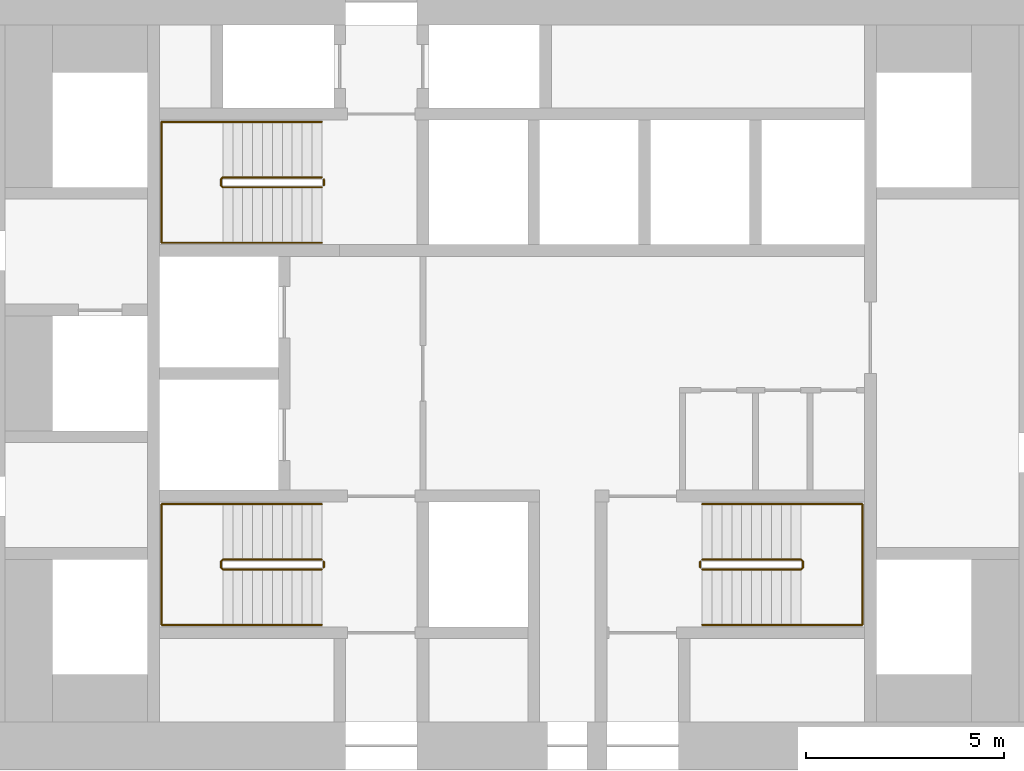
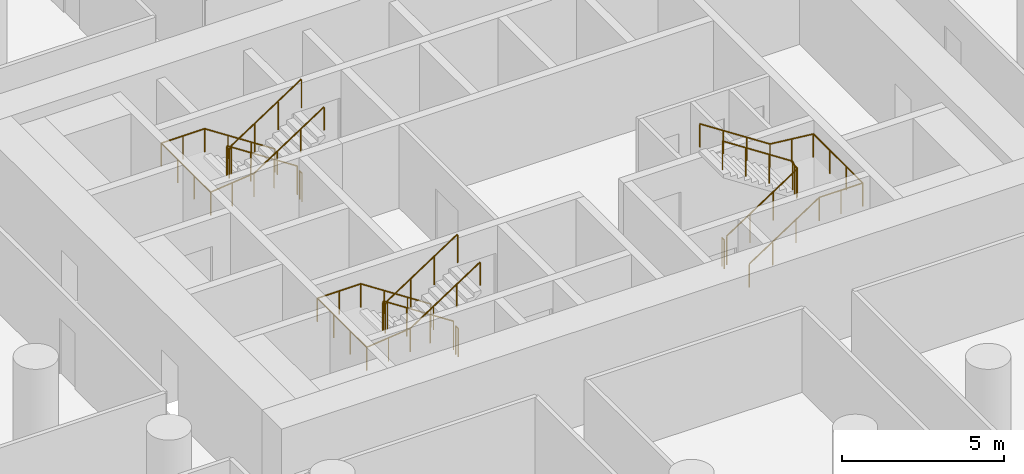
# One storey, part 12 of 12: 9 railings.
"""IFC4 building model written with IfcOpenShell, lengths in metres."""

from ifc_helpers import new_model, si_unit, direction, frame, origin, origin_2d, place, context, subcontext, project, spatial, circle, extrude, material, type_object, element, save


model = new_model("IFC4")

# Units and contexts
model_context = context("Model", 3, precision=1e-05, world=origin(), true_north=direction((0.0, 1.0)))
body_context = subcontext(model_context, "Body", "Model", "MODEL_VIEW")
ifc_project = project(units=[si_unit("LENGTHUNIT", "METRE"), si_unit("AREAUNIT", "SQUARE_METRE"), si_unit("VOLUMEUNIT", "CUBIC_METRE"), si_unit("PLANEANGLEUNIT", "RADIAN"), si_unit("MASSUNIT", "GRAM", prefix="KILO")], contexts=[model_context])

# Site, building, storey
site_placement = place(None, origin())
site = spatial("IfcSite", under=ifc_project, at=site_placement, CompositionType="ELEMENT")
building_placement = place(site_placement, origin())
building = spatial("IfcBuilding", under=site, at=building_placement, Name="Tracery Tower", CompositionType="ELEMENT")
storey_placement = place(building_placement, frame((0.0, 0.0, 82.199951171875)))
storey = spatial("IfcBuildingStorey", under=building, at=storey_placement, Name="L20", CompositionType="ELEMENT", Elevation=82.199951171875)

# Railings
ifc_material_1 = material(Name="Stainless steel and laminated glass", Category="steel")
railing_type_1 = type_object("IfcRailingType", Name="Stair guard 1100", PredefinedType="GUARDRAIL", material=ifc_material_1)
railing_1_placement = place(storey_placement, frame((-4.800048828125, -4.699951171875, 0.16357421875)))
element("IfcRailing", 1, at=railing_1_placement, inside=storey, type_object=railing_type_1, Name="L20 stair ST1 guard 1", PredefinedType="GUARDRAIL", context=body_context, shape_type="SweptSolid", body=[
    extrude(circle(Radius=0.02392578125, at=origin_2d()), frame((0.0, 0.0, 1.076171875), z_axis=(-0.83668449804, 0.0, 0.54768517484), x_axis=(0.0, -1.0, 0.0)), (0.0, 0.0, 1.0), 2.988037109375),
    extrude(circle(Radius=0.02392578125, at=origin_2d()), frame((-2.5, 0.0, 2.71240234375), z_axis=(-0.707106781187, -0.707106781187, 0.0), x_axis=(0.707106781187, -0.707106781187, 0.0)), (0.0, 0.0, 1.0), 0.07080078125),
    extrude(circle(Radius=0.02392578125, at=origin_2d()), frame((-2.550048828125, -0.050048828125, 2.71240234375), z_axis=(0.0, -1.0, 0.0), x_axis=(1.0, 0.0, 0.0)), (0.0, 0.0, 1.0), 0.14990234375),
    extrude(circle(Radius=0.02392578125, at=origin_2d()), frame((-2.550048828125, -0.199951171875, 2.71240234375), z_axis=(0.280808744504, -0.280808744504, 0.917765164963), x_axis=(0.707106781187, 0.707106781187, 0.0)), (0.0, 0.0, 1.0), 0.17822265625),
    extrude(circle(Radius=0.02392578125, at=origin_2d()), frame((-2.5, -0.25, 2.8759765625), z_axis=(0.83668449804, 0.0, 0.54768517484), x_axis=(0.0, 1.0, 0.0)), (0.0, 0.0, 1.0), 2.988037109375),
    extrude(circle(Radius=0.02099609375, at=origin_2d()), origin(), (0.0, 0.0, 1.0), 1.052001953125),
    extrude(circle(Radius=0.02099609375, at=origin_2d()), frame((-0.833251953125, 0.0, 0.54541015625)), (0.0, 0.0, 1.0), 1.052001953125),
    extrude(circle(Radius=0.02099609375, at=origin_2d()), frame((-1.666748046875, 0.0, 1.091064453125)), (0.0, 0.0, 1.0), 1.052001953125),
    extrude(circle(Radius=0.02099609375, at=origin_2d()), frame((-2.5, 0.0, 1.636474609375)), (0.0, 0.0, 1.0), 1.052001953125),
    extrude(circle(Radius=0.02099609375, at=origin_2d()), frame((-2.550048828125, -0.050048828125, 1.636474609375)), (0.0, 0.0, 1.0), 1.052001953125),
    extrude(circle(Radius=0.02099609375, at=origin_2d()), frame((-2.550048828125, -0.199951171875, 1.636474609375)), (0.0, 0.0, 1.0), 1.052001953125),
    extrude(circle(Radius=0.02099609375, at=origin_2d()), frame((-2.5, -0.25, 1.800048828125)), (0.0, 0.0, 1.0), 1.052001953125),
    extrude(circle(Radius=0.02099609375, at=origin_2d()), frame((-1.666748046875, -0.25, 2.345458984375)), (0.0, 0.0, 1.0), 1.052001953125),
    extrude(circle(Radius=0.02099609375, at=origin_2d()), frame((-0.833251953125, -0.25, 2.89111328125)), (0.0, 0.0, 1.0), 1.052001953125),
    extrude(circle(Radius=0.02099609375, at=origin_2d()), frame((0.0, -0.25, 3.4365234375)), (0.0, 0.0, 1.0), 1.052001953125),
])
railing_2_placement = place(storey_placement, frame((-4.75, -4.75, 0.0)))
element("IfcRailing", 2, at=railing_2_placement, inside=storey, type_object=railing_type_1, Name="L20 stair ST1 guard 2", PredefinedType="GUARDRAIL", context=body_context, shape_type="SweptSolid", body=[
    extrude(circle(Radius=0.02392578125, at=origin_2d()), frame((0.0, 0.0, 1.076171875), z_axis=(0.0, -1.0, 0.0), x_axis=(1.0, 0.0, 0.0)), (0.0, 0.0, 1.0), 0.14990234375),
    extrude(circle(Radius=0.02099609375, at=origin_2d()), origin(), (0.0, 0.0, 1.0), 1.052001953125),
    extrude(circle(Radius=0.02099609375, at=origin_2d()), frame((0.0, -0.14990234375, 0.0)), (0.0, 0.0, 1.0), 1.052001953125),
])
railing_3_placement = place(storey_placement, frame((-4.800048828125, 4.949951171875, 0.16357421875)))
element("IfcRailing", 3, at=railing_3_placement, inside=storey, type_object=railing_type_1, Name="L20 stair ST3 guard 1", PredefinedType="GUARDRAIL", context=body_context, shape_type="SweptSolid", body=[
    extrude(circle(Radius=0.02392578125, at=origin_2d()), frame((0.0, 0.0, 1.076171875), z_axis=(-0.83668449804, 0.0, 0.54768517484), x_axis=(0.0, -1.0, 0.0)), (0.0, 0.0, 1.0), 2.988037109375),
    extrude(circle(Radius=0.02392578125, at=origin_2d()), frame((-2.5, 0.0, 2.71240234375), z_axis=(-0.707106781187, -0.707106781187, 0.0), x_axis=(0.707106781187, -0.707106781187, 0.0)), (0.0, 0.0, 1.0), 0.07080078125),
    extrude(circle(Radius=0.02392578125, at=origin_2d()), frame((-2.550048828125, -0.050048828125, 2.71240234375), z_axis=(0.0, -1.0, 0.0), x_axis=(1.0, 0.0, 0.0)), (0.0, 0.0, 1.0), 0.14990234375),
    extrude(circle(Radius=0.02392578125, at=origin_2d()), frame((-2.550048828125, -0.199951171875, 2.71240234375), z_axis=(0.280808744504, -0.280808744504, 0.917765164963), x_axis=(0.707106781187, 0.707106781187, 0.0)), (0.0, 0.0, 1.0), 0.17822265625),
    extrude(circle(Radius=0.02392578125, at=origin_2d()), frame((-2.5, -0.25, 2.8759765625), z_axis=(0.83668449804, 0.0, 0.54768517484), x_axis=(0.0, 1.0, 0.0)), (0.0, 0.0, 1.0), 2.988037109375),
    extrude(circle(Radius=0.02099609375, at=origin_2d()), origin(), (0.0, 0.0, 1.0), 1.052001953125),
    extrude(circle(Radius=0.02099609375, at=origin_2d()), frame((-0.833251953125, 0.0, 0.54541015625)), (0.0, 0.0, 1.0), 1.052001953125),
    extrude(circle(Radius=0.02099609375, at=origin_2d()), frame((-1.666748046875, 0.0, 1.091064453125)), (0.0, 0.0, 1.0), 1.052001953125),
    extrude(circle(Radius=0.02099609375, at=origin_2d()), frame((-2.5, 0.0, 1.636474609375)), (0.0, 0.0, 1.0), 1.052001953125),
    extrude(circle(Radius=0.02099609375, at=origin_2d()), frame((-2.550048828125, -0.050048828125, 1.636474609375)), (0.0, 0.0, 1.0), 1.052001953125),
    extrude(circle(Radius=0.02099609375, at=origin_2d()), frame((-2.550048828125, -0.199951171875, 1.636474609375)), (0.0, 0.0, 1.0), 1.052001953125),
    extrude(circle(Radius=0.02099609375, at=origin_2d()), frame((-2.5, -0.25, 1.800048828125)), (0.0, 0.0, 1.0), 1.052001953125),
    extrude(circle(Radius=0.02099609375, at=origin_2d()), frame((-1.666748046875, -0.25, 2.345458984375)), (0.0, 0.0, 1.0), 1.052001953125),
    extrude(circle(Radius=0.02099609375, at=origin_2d()), frame((-0.833251953125, -0.25, 2.89111328125)), (0.0, 0.0, 1.0), 1.052001953125),
    extrude(circle(Radius=0.02099609375, at=origin_2d()), frame((0.0, -0.25, 3.4365234375)), (0.0, 0.0, 1.0), 1.052001953125),
])
railing_4_placement = place(storey_placement, frame((-4.75, 4.89990234375, 0.0)))
element("IfcRailing", 4, at=railing_4_placement, inside=storey, type_object=railing_type_1, Name="L20 stair ST3 guard 2", PredefinedType="GUARDRAIL", context=body_context, shape_type="SweptSolid", body=[
    extrude(circle(Radius=0.02392578125, at=origin_2d()), frame((0.0, 0.0, 1.076171875), z_axis=(0.0, -1.0, 0.0), x_axis=(1.0, 0.0, 0.0)), (0.0, 0.0, 1.0), 0.14990234375),
    extrude(circle(Radius=0.02099609375, at=origin_2d()), origin(), (0.0, 0.0, 1.0), 1.052001953125),
    extrude(circle(Radius=0.02099609375, at=origin_2d()), frame((0.0, -0.14990234375, 0.0)), (0.0, 0.0, 1.0), 1.052001953125),
])
railing_5_placement = place(storey_placement, frame((4.800048828125, -4.949951171875, 0.16357421875)))
element("IfcRailing", 5, at=railing_5_placement, inside=storey, type_object=railing_type_1, Name="L20 stair ST2 guard 1", PredefinedType="GUARDRAIL", context=body_context, shape_type="SweptSolid", body=[
    extrude(circle(Radius=0.02392578125, at=origin_2d()), frame((0.0, 0.0, 1.076171875), z_axis=(0.83668449804, 0.0, 0.54768517484), x_axis=(0.0, 1.0, 0.0)), (0.0, 0.0, 1.0), 2.988037109375),
    extrude(circle(Radius=0.02392578125, at=origin_2d()), frame((2.5, 0.0, 2.71240234375), z_axis=(0.707106781187, 0.707106781187, 0.0), x_axis=(-0.707106781187, 0.707106781187, 0.0)), (0.0, 0.0, 1.0), 0.07080078125),
    extrude(circle(Radius=0.02392578125, at=origin_2d()), frame((2.550048828125, 0.050048828125, 2.71240234375), z_axis=(0.0, 1.0, 0.0), x_axis=(-1.0, 0.0, 0.0)), (0.0, 0.0, 1.0), 0.14990234375),
    extrude(circle(Radius=0.02392578125, at=origin_2d()), frame((2.550048828125, 0.199951171875, 2.71240234375), z_axis=(-0.280808744504, 0.280808744504, 0.917765164963), x_axis=(-0.707106781187, -0.707106781187, 0.0)), (0.0, 0.0, 1.0), 0.17822265625),
    extrude(circle(Radius=0.02392578125, at=origin_2d()), frame((2.5, 0.25, 2.8759765625), z_axis=(-0.83668449804, 0.0, 0.54768517484), x_axis=(0.0, -1.0, 0.0)), (0.0, 0.0, 1.0), 2.988037109375),
    extrude(circle(Radius=0.02099609375, at=origin_2d()), origin(), (0.0, 0.0, 1.0), 1.052001953125),
    extrude(circle(Radius=0.02099609375, at=origin_2d()), frame((0.833251953125, 0.0, 0.54541015625)), (0.0, 0.0, 1.0), 1.052001953125),
    extrude(circle(Radius=0.02099609375, at=origin_2d()), frame((1.666748046875, 0.0, 1.091064453125)), (0.0, 0.0, 1.0), 1.052001953125),
    extrude(circle(Radius=0.02099609375, at=origin_2d()), frame((2.5, 0.0, 1.636474609375)), (0.0, 0.0, 1.0), 1.052001953125),
    extrude(circle(Radius=0.02099609375, at=origin_2d()), frame((2.550048828125, 0.050048828125, 1.636474609375)), (0.0, 0.0, 1.0), 1.052001953125),
    extrude(circle(Radius=0.02099609375, at=origin_2d()), frame((2.550048828125, 0.199951171875, 1.636474609375)), (0.0, 0.0, 1.0), 1.052001953125),
    extrude(circle(Radius=0.02099609375, at=origin_2d()), frame((2.5, 0.25, 1.800048828125)), (0.0, 0.0, 1.0), 1.052001953125),
    extrude(circle(Radius=0.02099609375, at=origin_2d()), frame((1.666748046875, 0.25, 2.345458984375)), (0.0, 0.0, 1.0), 1.052001953125),
    extrude(circle(Radius=0.02099609375, at=origin_2d()), frame((0.833251953125, 0.25, 2.89111328125)), (0.0, 0.0, 1.0), 1.052001953125),
    extrude(circle(Radius=0.02099609375, at=origin_2d()), frame((0.0, 0.25, 3.4365234375)), (0.0, 0.0, 1.0), 1.052001953125),
])
railing_6_placement = place(storey_placement, frame((4.75, -4.89990234375, 0.0)))
element("IfcRailing", 6, at=railing_6_placement, inside=storey, type_object=railing_type_1, Name="L20 stair ST2 guard 2", PredefinedType="GUARDRAIL", context=body_context, shape_type="SweptSolid", body=[
    extrude(circle(Radius=0.02392578125, at=origin_2d()), frame((0.0, 0.0, 1.076171875), z_axis=(0.0, 1.0, 0.0), x_axis=(-1.0, 0.0, 0.0)), (0.0, 0.0, 1.0), 0.14990234375),
    extrude(circle(Radius=0.02099609375, at=origin_2d()), origin(), (0.0, 0.0, 1.0), 1.052001953125),
    extrude(circle(Radius=0.02099609375, at=origin_2d()), frame((0.0, 0.14990234375, 0.0)), (0.0, 0.0, 1.0), 1.052001953125),
])
ifc_material_2 = material(Name="Stainless steel and laminated glass", Category="steel")
railing_type_2 = type_object("IfcRailingType", Name="Stair handrail 900", PredefinedType="HANDRAIL", material=ifc_material_2)
railing_7_placement = place(storey_placement, frame((-4.800048828125, -3.300048828125, 0.16357421875)))
element("IfcRailing", 7, at=railing_7_placement, inside=storey, type_object=railing_type_2, Name="L20 stair ST1 handrail 1", PredefinedType="HANDRAIL", context=body_context, shape_type="SweptSolid", body=[
    extrude(circle(Radius=0.02392578125, at=origin_2d()), frame((0.0, 0.0, 0.8759765625), z_axis=(-0.83668449804, 0.0, 0.54768517484), x_axis=(0.0, -1.0, 0.0)), (0.0, 0.0, 1.0), 2.988037109375),
    extrude(circle(Radius=0.02392578125, at=origin_2d()), frame((-2.5, 0.0, 2.51220703125), z_axis=(-1.0, 0.0, 0.0), x_axis=(0.0, -1.0, 0.0)), (0.0, 0.0, 1.0), 1.550048828125),
    extrude(circle(Radius=0.02392578125, at=origin_2d()), frame((-4.050048828125, 0.0, 2.51220703125), z_axis=(0.0, -1.0, 0.0), x_axis=(1.0, 0.0, 0.0)), (0.0, 0.0, 1.0), 3.050048828125),
    extrude(circle(Radius=0.02392578125, at=origin_2d()), frame((-4.050048828125, -3.050048828125, 2.51220703125), z_axis=(0.994477953863, 0.0, 0.104945696817), x_axis=(0.0, 1.0, 0.0)), (0.0, 0.0, 1.0), 1.55859375),
    extrude(circle(Radius=0.02392578125, at=origin_2d()), frame((-2.5, -3.050048828125, 2.67578125), z_axis=(0.83668449804, 0.0, 0.54768517484), x_axis=(0.0, 1.0, 0.0)), (0.0, 0.0, 1.0), 2.988037109375),
    extrude(circle(Radius=0.02099609375, at=origin_2d()), origin(), (0.0, 0.0, 1.0), 0.851806640625),
    extrude(circle(Radius=0.02099609375, at=origin_2d()), frame((-0.833251953125, 0.0, 0.54541015625)), (0.0, 0.0, 1.0), 0.851806640625),
    extrude(circle(Radius=0.02099609375, at=origin_2d()), frame((-1.666748046875, 0.0, 1.091064453125)), (0.0, 0.0, 1.0), 0.851806640625),
    extrude(circle(Radius=0.02099609375, at=origin_2d()), frame((-2.5, 0.0, 1.636474609375)), (0.0, 0.0, 1.0), 0.851806640625),
    extrude(circle(Radius=0.02099609375, at=origin_2d()), frame((-3.27490234375, 0.0, 1.636474609375)), (0.0, 0.0, 1.0), 0.851806640625),
    extrude(circle(Radius=0.02099609375, at=origin_2d()), frame((-4.050048828125, 0.0, 1.636474609375)), (0.0, 0.0, 1.0), 0.851806640625),
    extrude(circle(Radius=0.02099609375, at=origin_2d()), frame((-4.050048828125, -1.0166015625, 1.636474609375)), (0.0, 0.0, 1.0), 0.851806640625),
    extrude(circle(Radius=0.02099609375, at=origin_2d()), frame((-4.050048828125, -2.033447265625, 1.636474609375)), (0.0, 0.0, 1.0), 0.851806640625),
    extrude(circle(Radius=0.02099609375, at=origin_2d()), frame((-4.050048828125, -3.050048828125, 1.636474609375)), (0.0, 0.0, 1.0), 0.851806640625),
    extrude(circle(Radius=0.02099609375, at=origin_2d()), frame((-3.27490234375, -3.050048828125, 1.71826171875)), (0.0, 0.0, 1.0), 0.851806640625),
    extrude(circle(Radius=0.02099609375, at=origin_2d()), frame((-2.5, -3.050048828125, 1.800048828125)), (0.0, 0.0, 1.0), 0.851806640625),
    extrude(circle(Radius=0.02099609375, at=origin_2d()), frame((-1.666748046875, -3.050048828125, 2.345458984375)), (0.0, 0.0, 1.0), 0.851806640625),
    extrude(circle(Radius=0.02099609375, at=origin_2d()), frame((-0.833251953125, -3.050048828125, 2.89111328125)), (0.0, 0.0, 1.0), 0.851806640625),
    extrude(circle(Radius=0.02099609375, at=origin_2d()), frame((0.0, -3.050048828125, 3.4365234375)), (0.0, 0.0, 1.0), 0.851806640625),
])
railing_8_placement = place(storey_placement, frame((-4.800048828125, 6.35009765625, 0.16357421875)))
element("IfcRailing", 8, at=railing_8_placement, inside=storey, type_object=railing_type_2, Name="L20 stair ST3 handrail 1", PredefinedType="HANDRAIL", context=body_context, shape_type="SweptSolid", body=[
    extrude(circle(Radius=0.02392578125, at=origin_2d()), frame((0.0, 0.0, 0.8759765625), z_axis=(-0.83668449804, 0.0, 0.54768517484), x_axis=(0.0, -1.0, 0.0)), (0.0, 0.0, 1.0), 2.988037109375),
    extrude(circle(Radius=0.02392578125, at=origin_2d()), frame((-2.5, 0.0, 2.51220703125), z_axis=(-1.0, 0.0, 0.0), x_axis=(0.0, -1.0, 0.0)), (0.0, 0.0, 1.0), 1.550048828125),
    extrude(circle(Radius=0.02392578125, at=origin_2d()), frame((-4.050048828125, 0.0, 2.51220703125), z_axis=(0.0, -1.0, 0.0), x_axis=(1.0, 0.0, 0.0)), (0.0, 0.0, 1.0), 3.050048828125),
    extrude(circle(Radius=0.02392578125, at=origin_2d()), frame((-4.050048828125, -3.050048828125, 2.51220703125), z_axis=(0.994477953863, 0.0, 0.104945696817), x_axis=(0.0, 1.0, 0.0)), (0.0, 0.0, 1.0), 1.55859375),
    extrude(circle(Radius=0.02392578125, at=origin_2d()), frame((-2.5, -3.050048828125, 2.67578125), z_axis=(0.83668449804, 0.0, 0.54768517484), x_axis=(0.0, 1.0, 0.0)), (0.0, 0.0, 1.0), 2.988037109375),
    extrude(circle(Radius=0.02099609375, at=origin_2d()), origin(), (0.0, 0.0, 1.0), 0.851806640625),
    extrude(circle(Radius=0.02099609375, at=origin_2d()), frame((-0.833251953125, 0.0, 0.54541015625)), (0.0, 0.0, 1.0), 0.851806640625),
    extrude(circle(Radius=0.02099609375, at=origin_2d()), frame((-1.666748046875, 0.0, 1.091064453125)), (0.0, 0.0, 1.0), 0.851806640625),
    extrude(circle(Radius=0.02099609375, at=origin_2d()), frame((-2.5, 0.0, 1.636474609375)), (0.0, 0.0, 1.0), 0.851806640625),
    extrude(circle(Radius=0.02099609375, at=origin_2d()), frame((-3.27490234375, 0.0, 1.636474609375)), (0.0, 0.0, 1.0), 0.851806640625),
    extrude(circle(Radius=0.02099609375, at=origin_2d()), frame((-4.050048828125, 0.0, 1.636474609375)), (0.0, 0.0, 1.0), 0.851806640625),
    extrude(circle(Radius=0.02099609375, at=origin_2d()), frame((-4.050048828125, -1.0166015625, 1.636474609375)), (0.0, 0.0, 1.0), 0.851806640625),
    extrude(circle(Radius=0.02099609375, at=origin_2d()), frame((-4.050048828125, -2.033447265625, 1.636474609375)), (0.0, 0.0, 1.0), 0.851806640625),
    extrude(circle(Radius=0.02099609375, at=origin_2d()), frame((-4.050048828125, -3.050048828125, 1.636474609375)), (0.0, 0.0, 1.0), 0.851806640625),
    extrude(circle(Radius=0.02099609375, at=origin_2d()), frame((-3.27490234375, -3.050048828125, 1.71826171875)), (0.0, 0.0, 1.0), 0.851806640625),
    extrude(circle(Radius=0.02099609375, at=origin_2d()), frame((-2.5, -3.050048828125, 1.800048828125)), (0.0, 0.0, 1.0), 0.851806640625),
    extrude(circle(Radius=0.02099609375, at=origin_2d()), frame((-1.666748046875, -3.050048828125, 2.345458984375)), (0.0, 0.0, 1.0), 0.851806640625),
    extrude(circle(Radius=0.02099609375, at=origin_2d()), frame((-0.833251953125, -3.050048828125, 2.89111328125)), (0.0, 0.0, 1.0), 0.851806640625),
    extrude(circle(Radius=0.02099609375, at=origin_2d()), frame((0.0, -3.050048828125, 3.4365234375)), (0.0, 0.0, 1.0), 0.851806640625),
])
railing_9_placement = place(storey_placement, frame((4.800048828125, -6.35009765625, 0.16357421875)))
element("IfcRailing", 9, at=railing_9_placement, inside=storey, type_object=railing_type_2, Name="L20 stair ST2 handrail 1", PredefinedType="HANDRAIL", context=body_context, shape_type="SweptSolid", body=[
    extrude(circle(Radius=0.02392578125, at=origin_2d()), frame((0.0, 0.0, 0.8759765625), z_axis=(0.83668449804, 0.0, 0.54768517484), x_axis=(0.0, 1.0, 0.0)), (0.0, 0.0, 1.0), 2.988037109375),
    extrude(circle(Radius=0.02392578125, at=origin_2d()), frame((2.5, 0.0, 2.51220703125), z_axis=(1.0, 0.0, 0.0), x_axis=(0.0, 1.0, 0.0)), (0.0, 0.0, 1.0), 1.550048828125),
    extrude(circle(Radius=0.02392578125, at=origin_2d()), frame((4.050048828125, 0.0, 2.51220703125), z_axis=(0.0, 1.0, 0.0), x_axis=(-1.0, 0.0, 0.0)), (0.0, 0.0, 1.0), 3.050048828125),
    extrude(circle(Radius=0.02392578125, at=origin_2d()), frame((4.050048828125, 3.050048828125, 2.51220703125), z_axis=(-0.994477953863, 0.0, 0.104945696817), x_axis=(0.0, -1.0, 0.0)), (0.0, 0.0, 1.0), 1.55859375),
    extrude(circle(Radius=0.02392578125, at=origin_2d()), frame((2.5, 3.050048828125, 2.67578125), z_axis=(-0.83668449804, 0.0, 0.54768517484), x_axis=(0.0, -1.0, 0.0)), (0.0, 0.0, 1.0), 2.988037109375),
    extrude(circle(Radius=0.02099609375, at=origin_2d()), origin(), (0.0, 0.0, 1.0), 0.851806640625),
    extrude(circle(Radius=0.02099609375, at=origin_2d()), frame((0.833251953125, 0.0, 0.54541015625)), (0.0, 0.0, 1.0), 0.851806640625),
    extrude(circle(Radius=0.02099609375, at=origin_2d()), frame((1.666748046875, 0.0, 1.091064453125)), (0.0, 0.0, 1.0), 0.851806640625),
    extrude(circle(Radius=0.02099609375, at=origin_2d()), frame((2.5, 0.0, 1.636474609375)), (0.0, 0.0, 1.0), 0.851806640625),
    extrude(circle(Radius=0.02099609375, at=origin_2d()), frame((3.27490234375, 0.0, 1.636474609375)), (0.0, 0.0, 1.0), 0.851806640625),
    extrude(circle(Radius=0.02099609375, at=origin_2d()), frame((4.050048828125, 0.0, 1.636474609375)), (0.0, 0.0, 1.0), 0.851806640625),
    extrude(circle(Radius=0.02099609375, at=origin_2d()), frame((4.050048828125, 1.0166015625, 1.636474609375)), (0.0, 0.0, 1.0), 0.851806640625),
    extrude(circle(Radius=0.02099609375, at=origin_2d()), frame((4.050048828125, 2.033447265625, 1.636474609375)), (0.0, 0.0, 1.0), 0.851806640625),
    extrude(circle(Radius=0.02099609375, at=origin_2d()), frame((4.050048828125, 3.050048828125, 1.636474609375)), (0.0, 0.0, 1.0), 0.851806640625),
    extrude(circle(Radius=0.02099609375, at=origin_2d()), frame((3.27490234375, 3.050048828125, 1.71826171875)), (0.0, 0.0, 1.0), 0.851806640625),
    extrude(circle(Radius=0.02099609375, at=origin_2d()), frame((2.5, 3.050048828125, 1.800048828125)), (0.0, 0.0, 1.0), 0.851806640625),
    extrude(circle(Radius=0.02099609375, at=origin_2d()), frame((1.666748046875, 3.050048828125, 2.345458984375)), (0.0, 0.0, 1.0), 0.851806640625),
    extrude(circle(Radius=0.02099609375, at=origin_2d()), frame((0.833251953125, 3.050048828125, 2.89111328125)), (0.0, 0.0, 1.0), 0.851806640625),
    extrude(circle(Radius=0.02099609375, at=origin_2d()), frame((0.0, 3.050048828125, 3.4365234375)), (0.0, 0.0, 1.0), 0.851806640625),
])

save(model, "model.ifc")
